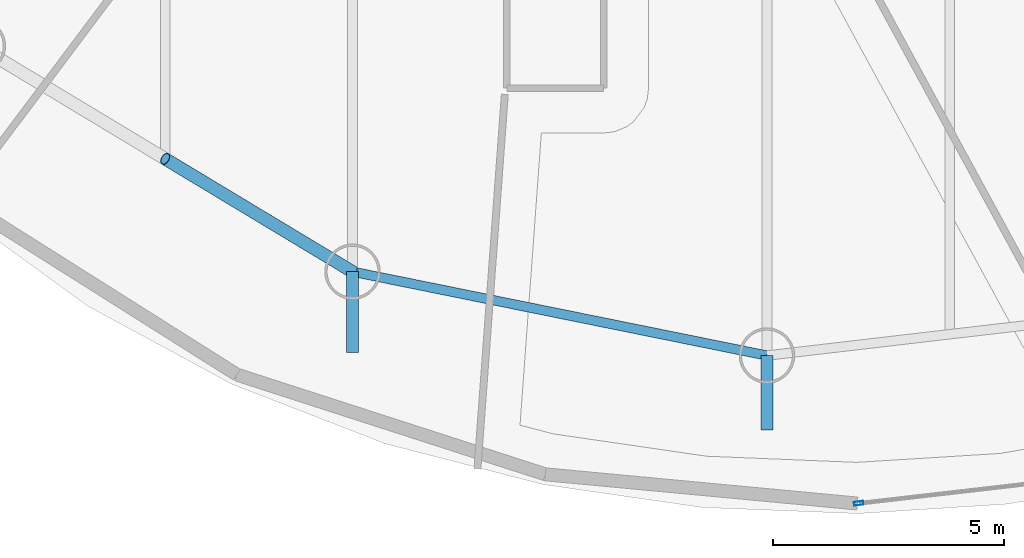
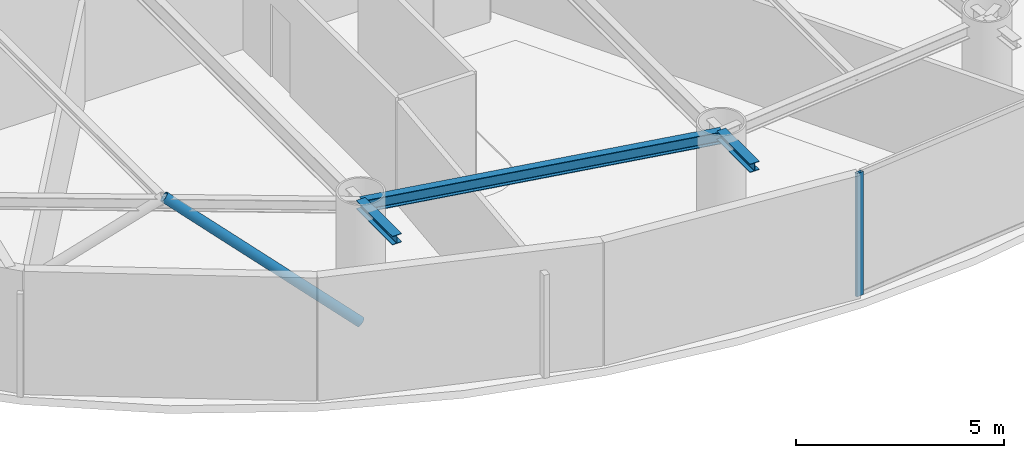
# One storey, part 3 of 22: 3 beams, 2 members, 1 element without a shape of its own.
"""IFC4 building model written with IfcOpenShell, lengths in metres."""

from ifc_helpers import new_model, si_unit, direction, frame, origin, origin_2d, place, context, subcontext, project, spatial, hollow_rectangle, hollow_circle, i_section, extrude, material, layer, layer_set, material_profile, profile_set, type_object, element, aggregate, save


model = new_model("IFC4")

# Units and contexts
model_context = context("Model", 3, precision=1e-05, world=origin(), true_north=direction((0.0, 1.0)))
body_context = subcontext(model_context, "Body", "Model", "MODEL_VIEW")
ifc_project = project(units=[si_unit("LENGTHUNIT", "METRE"), si_unit("AREAUNIT", "SQUARE_METRE"), si_unit("VOLUMEUNIT", "CUBIC_METRE"), si_unit("PLANEANGLEUNIT", "RADIAN"), si_unit("MASSUNIT", "GRAM", prefix="KILO")], contexts=[model_context])

# Site, building, storey
site_placement = place(None, origin())
site = spatial("IfcSite", under=ifc_project, at=site_placement, CompositionType="ELEMENT")
building_placement = place(site_placement, origin())
building = spatial("IfcBuilding", under=site, at=building_placement, Name="Bramvorn Convention Spire", CompositionType="ELEMENT")
storey_placement = place(building_placement, frame((0.0, 0.0, 190.449951171875)))
storey = spatial("IfcBuildingStorey", under=building, at=storey_placement, Name="L48", CompositionType="ELEMENT", Elevation=190.449951171875)

# Beams
ifc_material_1 = material(Name="Steel CSA G40.21 Grade 350 (350W)", Category="steel")
ifc_material_profile_1 = material_profile(ifc_material_1, i_section(OverallWidth=0.25390625, OverallDepth=0.2529296875, WebThickness=0.008544921875, FlangeThickness=0.01416015625, FilletRadius=0.011962890625, at=origin_2d()))
ifc_profile_set_1 = profile_set([ifc_material_profile_1], Name="Steel CSA G40.21 Grade 350 (350W) - W250X73")
beam_type_1 = type_object("IfcBeamType", Name="BM-W250X73", PredefinedType="BEAM", material=ifc_profile_set_1)
beam_1_placement = place(storey_placement, frame((33.61083984375, 7.227783203125, 3.49365234375), z_axis=(0.0, -1.0, 0.0), x_axis=(1.0, 0.0, 0.0)))
element("IfcBeam", 1, at=beam_1_placement, inside=storey, type_object=beam_type_1, Name="L48 slab-edge cantilever tip beam MC14", PredefinedType="BEAM", context=body_context, shape_type="SweptSolid", body=[
    extrude(i_section(OverallWidth=0.25390625, OverallDepth=0.2529296875, WebThickness=0.008544921875, FlangeThickness=0.01416015625, FilletRadius=0.011962890625, at=origin_2d()), origin(), (0.0, 0.0, 1.0), 1.74658203125),
])
beam_2_placement = place(storey_placement, frame((42.583740234375, 5.41162109375, 3.49365234375), z_axis=(0.0, -1.0, 0.0), x_axis=(1.0, 0.0, 0.0)))
element("IfcBeam", 2, at=beam_2_placement, inside=storey, type_object=beam_type_1, Name="L48 slab-edge cantilever tip beam MC15", PredefinedType="BEAM", context=body_context, shape_type="SweptSolid", body=[
    extrude(i_section(OverallWidth=0.25390625, OverallDepth=0.2529296875, WebThickness=0.008544921875, FlangeThickness=0.01416015625, FilletRadius=0.011962890625, at=origin_2d()), origin(), (0.0, 0.0, 1.0), 1.608642578125),
])
ifc_material_profile_2 = material_profile(ifc_material_1, i_section(OverallWidth=0.205078125, OverallDepth=0.35400390625, WebThickness=0.009521484375, FlangeThickness=0.016845703125, FilletRadius=0.014892578125, at=origin_2d()))
ifc_profile_set_2 = profile_set([ifc_material_profile_2], Name="Steel CSA G40.21 Grade 350 (350W) - W360X79")
beam_type_2 = type_object("IfcBeamType", Name="BM-W360X79", PredefinedType="JOIST", material=ifc_profile_set_2)
beam_3_placement = place(storey_placement, frame((33.61083984375, 7.227783203125, 3.443115234375), z_axis=(0.980124701676, -0.198382381187, 0.0), x_axis=(0.198382381187, 0.980124701676, 0.0)))
element("IfcBeam", 3, at=beam_3_placement, inside=storey, type_object=beam_type_2, Name="L48 mega-column ring beam 14", PredefinedType="JOIST", context=body_context, shape_type="SweptSolid", body=[
    extrude(i_section(OverallWidth=0.205078125, OverallDepth=0.35400390625, WebThickness=0.009521484375, FlangeThickness=0.016845703125, FilletRadius=0.014892578125, at=origin_2d()), origin(), (0.0, 0.0, 1.0), 9.15478515625),
])

# Curtain wall, member
ifc_material_2 = material(Name="Anodised Bronze Unitised Curtain Wall", Category="aluminium")
ifc_layer = layer(ifc_material_2, 0.179931640625)
ifc_layer_set = layer_set([ifc_layer], Name="Anodised Bronze Unitised Curtain Wall - CW-OFF-FRIT")
curtain_wall_type = type_object("IfcCurtainWallType", Name="CW-OFF-FRIT", PredefinedType="USERDEFINED", material=ifc_layer_set)
curtain_wall_placement = place(storey_placement, origin())
curtain_wall = element("IfcCurtainWall", 4, at=curtain_wall_placement, inside=storey, type_object=curtain_wall_type, Name="L48 fritted glass curtain wall 22", ObjectType="UNITISED CURTAIN WALL", PredefinedType="USERDEFINED")
ifc_material_3 = material(Name="Anodised Bronze Aluminium 6063-T6", Category="aluminium")
ifc_material_profile_3 = material_profile(ifc_material_3, hollow_rectangle(XDim=0.080078125, YDim=0.199951171875, WallThickness=0.00390625, InnerFilletRadius=0.0009765625, OuterFilletRadius=0.00390625, at=origin_2d()))
ifc_profile_set_3 = profile_set([ifc_material_profile_3], Name="Anodised Bronze Aluminium 6063-T6 - CWM80X200")
member_type_1 = type_object("IfcMemberType", Name="CW-MUL-180", PredefinedType="MULLION", material=ifc_profile_set_3)
member_1_placement = place(storey_placement, frame((44.569091796875, 2.212158203125, 0.0), z_axis=(0.0, 0.0, 1.0), x_axis=(0.114576558999, -0.993414421139, 0.0)))
member_1 = element("IfcMember", 5, at=member_1_placement, type_object=member_type_1, Name="CW3 mullion 2", PredefinedType="MULLION", context=body_context, shape_type="SweptSolid", body=[
    extrude(hollow_rectangle(XDim=0.080078125, YDim=0.199951171875, WallThickness=0.00390625, InnerFilletRadius=0.0009765625, OuterFilletRadius=0.00390625, at=origin_2d()), origin(), (0.0, 0.0, 1.0), 3.6201171875),
])
aggregate(curtain_wall, [member_1])

# Member
ifc_material_profile_4 = material_profile(ifc_material_1, hollow_circle(Radius=0.136474609375, WallThickness=0.0126953125, at=origin_2d()))
ifc_profile_set_4 = profile_set([ifc_material_profile_4], Name="Steel CSA G40.21 Grade 350 (350W) - CHS273X13")
member_type_2 = type_object("IfcMemberType", Name="MBR-CHS273X13", PredefinedType="BRACE", material=ifc_profile_set_4)
member_2_placement = place(storey_placement, frame((33.61083984375, 7.227783203125, 0.0), z_axis=(-0.680515326129, 0.409947511238, 0.607323578443), x_axis=(-0.516011266543, -0.856581795745, 0.0)))
element("IfcMember", 6, at=member_2_placement, inside=storey, type_object=member_type_2, Name="L48 perimeter Gothic lancet brace 13B", PredefinedType="BRACE", context=body_context, shape_type="SweptSolid", body=[
    extrude(hollow_circle(Radius=0.136474609375, WallThickness=0.0126953125, at=origin_2d()), origin(), (0.0, 0.0, 1.0), 5.960693359375),
])

save(model, "model.ifc")
